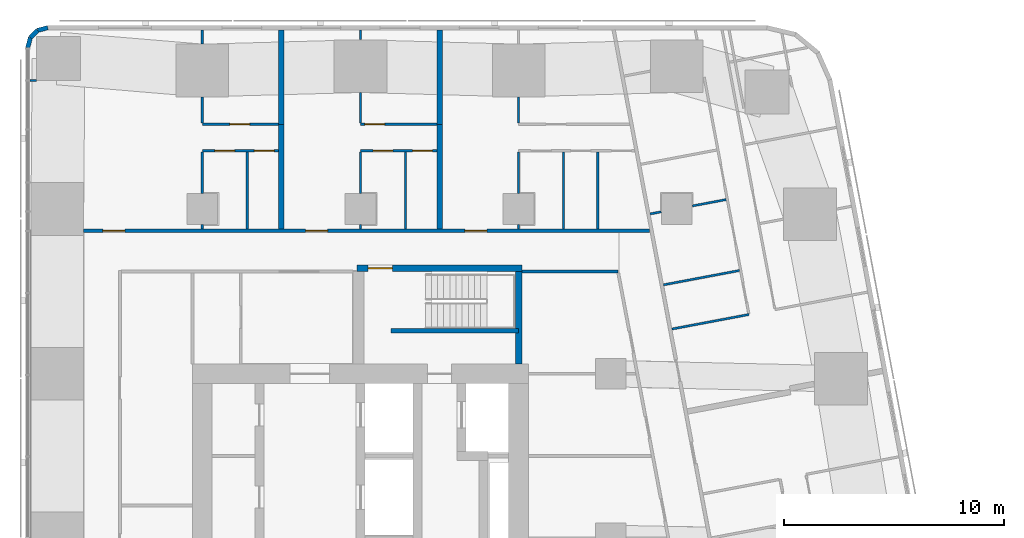
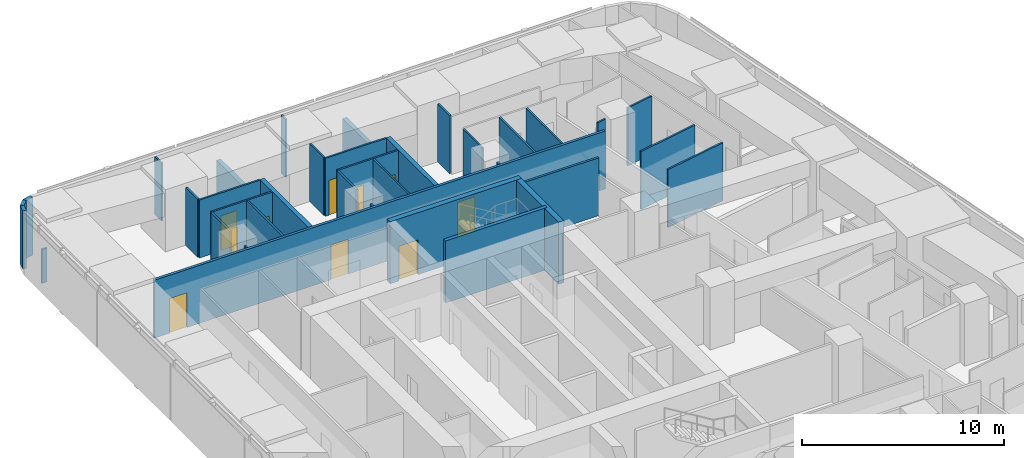
# One storey, part 13 of 17: 36 walls, 10 doors, 10 openings.
"""IFC4 building model written with IfcOpenShell, lengths in metres."""

from ifc_helpers import new_model, si_unit, direction, frame, frame_2d, origin, place, context, subcontext, project, spatial, rectangle, extrude, material, layer, layer_set, type_object, element, fill, save


model = new_model("IFC4")

# Units and contexts
model_context = context("Model", 3, precision=1e-05, world=origin(), true_north=direction((0.0, 1.0)))
body_context = subcontext(model_context, "Body", "Model", "MODEL_VIEW")
ifc_project = project(units=[si_unit("LENGTHUNIT", "METRE"), si_unit("AREAUNIT", "SQUARE_METRE"), si_unit("VOLUMEUNIT", "CUBIC_METRE"), si_unit("PLANEANGLEUNIT", "RADIAN"), si_unit("MASSUNIT", "GRAM", prefix="KILO")], contexts=[model_context])

# Site, building, storey
site_placement = place(None, origin())
site = spatial("IfcSite", under=ifc_project, at=site_placement, CompositionType="ELEMENT")
building_placement = place(site_placement, origin())
building = spatial("IfcBuilding", under=site, at=building_placement, Name="Sheger Commons Tower", CompositionType="ELEMENT")
storey_placement = place(building_placement, frame((0.0, 0.0, 208.699951171875)))
storey = spatial("IfcBuildingStorey", under=building, at=storey_placement, Name="L53", CompositionType="ELEMENT", Elevation=208.699951171875)

# Wall, openings, doors
ifc_material_1 = material(Name="Hollow concrete block masonry, skimmed both sides", Category="masonry")
ifc_layer_1 = layer(ifc_material_1, 0.14990234375)
ifc_layer_set_1 = layer_set([ifc_layer_1], Name="CORRIDOR WALL 150")
wall_type_1 = type_object("IfcWallType", Name="CORRIDOR WALL 150", PredefinedType="SOLIDWALL", material=ifc_layer_set_1)
wall_1_placement = place(storey_placement, frame((9.0009765625, 36.5, 0.0), z_axis=(0.0, 0.0, 1.0), x_axis=(1.0, 0.0, 0.0)))
wall_1 = element("IfcWall", 1, at=wall_1_placement, inside=storey, type_object=wall_type_1, Name="Corridor wall L53", PredefinedType="SOLIDWALL", context=body_context, shape_type="SweptSolid", body=[
    extrude(rectangle(XDim=25.763916015625, YDim=0.14990234375, at=frame_2d((12.8818359375, 0.0))), origin(), (0.0, 0.0, 1.0), 3.5),
])
opening_1_placement = place(wall_1_placement, frame((0.8740234375, 0.0, 0.0)))
opening_1 = element("IfcOpeningElement", 2, at=opening_1_placement, cuts=wall_1, Name="Opening D1", PredefinedType="OPENING", context=body_context, shape_type="SweptSolid", body=[
    extrude(rectangle(XDim=1.0, YDim=2.10009765625, at=frame_2d((0.5, 1.050048828125))), frame((0.0, 0.0849609375, 0.0), z_axis=(0.0, -1.0, 0.0), x_axis=(1.0, 0.0, 0.0)), (0.0, 0.0, 1.0), 0.169921875),
])
opening_2_placement = place(wall_1_placement, frame((10.09912109375, 0.0, 0.0)))
opening_2 = element("IfcOpeningElement", 3, at=opening_2_placement, cuts=wall_1, Name="Opening D1", PredefinedType="OPENING", context=body_context, shape_type="SweptSolid", body=[
    extrude(rectangle(XDim=1.0, YDim=2.10009765625, at=frame_2d((0.5, 1.050048828125))), frame((0.0, 0.0849609375, 0.0), z_axis=(0.0, -1.0, 0.0), x_axis=(1.0, 0.0, 0.0)), (0.0, 0.0, 1.0), 0.169921875),
])
opening_3_placement = place(wall_1_placement, frame((17.35595703125, 0.0, 0.0)))
opening_3 = element("IfcOpeningElement", 4, at=opening_3_placement, cuts=wall_1, Name="Opening D1", PredefinedType="OPENING", context=body_context, shape_type="SweptSolid", body=[
    extrude(rectangle(XDim=1.0, YDim=2.10009765625, at=frame_2d((0.5, 1.050048828125))), frame((0.0, 0.0849609375, 0.0), z_axis=(0.0, -1.0, 0.0), x_axis=(1.0, 0.0, 0.0)), (0.0, 0.0, 1.0), 0.169921875),
])
ifc_material_2 = material(Name="Steel door set, fire rated", Category="steel")
door_type_1 = type_object("IfcDoorType", Name="FLAT ENTRANCE DOOR 1000x2100", OperationType="NOTDEFINED", PredefinedType="DOOR", material=ifc_material_2)
door_1_placement = place(opening_1_placement, origin())
door_1 = element("IfcDoor", 5, at=door_1_placement, inside=storey, type_object=door_type_1, Name="Flat entrance door", OperationType="SINGLE_SWING_LEFT", OverallHeight=2.10009765625, OverallWidth=1.0, PredefinedType="DOOR", context=body_context, shape_type="SweptSolid", body=[
    extrude(rectangle(XDim=1.0, YDim=2.10009765625, at=frame_2d((0.5, 1.050048828125))), frame((0.0, 0.02490234375, 0.0), z_axis=(0.0, -1.0, 0.0), x_axis=(1.0, 0.0, 0.0)), (0.0, 0.0, 1.0), 0.050048828125),
])
fill(opening_1, door_1)
door_2_placement = place(opening_2_placement, origin())
door_2 = element("IfcDoor", 6, at=door_2_placement, inside=storey, type_object=door_type_1, Name="Flat entrance door", OperationType="SINGLE_SWING_LEFT", OverallHeight=2.10009765625, OverallWidth=1.0, PredefinedType="DOOR", context=body_context, shape_type="SweptSolid", body=[
    extrude(rectangle(XDim=1.0, YDim=2.10009765625, at=frame_2d((0.5, 1.050048828125))), frame((0.0, 0.02490234375, 0.0), z_axis=(0.0, -1.0, 0.0), x_axis=(1.0, 0.0, 0.0)), (0.0, 0.0, 1.0), 0.050048828125),
])
fill(opening_2, door_2)
door_3_placement = place(opening_3_placement, origin())
door_3 = element("IfcDoor", 7, at=door_3_placement, inside=storey, type_object=door_type_1, Name="Flat entrance door", OperationType="SINGLE_SWING_LEFT", OverallHeight=2.10009765625, OverallWidth=1.0, PredefinedType="DOOR", context=body_context, shape_type="SweptSolid", body=[
    extrude(rectangle(XDim=1.0, YDim=2.10009765625, at=frame_2d((0.5, 1.050048828125))), frame((0.0, 0.02490234375, 0.0), z_axis=(0.0, -1.0, 0.0), x_axis=(1.0, 0.0, 0.0)), (0.0, 0.0, 1.0), 0.050048828125),
])
fill(opening_3, door_3)

# Walls
ifc_material_3 = material(Name="Dense concrete block masonry, plastered both sides (separating wall between flats)", Category="masonry")
ifc_layer_2 = layer(ifc_material_3, 0.25)
ifc_layer_set_2 = layer_set([ifc_layer_2], Name="DEMISING WALL 250")
wall_type_2 = type_object("IfcWallType", Name="DEMISING WALL 250", PredefinedType="SOLIDWALL", material=ifc_layer_set_2)
wall_2_placement = place(storey_placement, frame((18.0, 41.35009765625, 0.0), z_axis=(0.0, 0.0, 1.0), x_axis=(0.0, 1.0, 0.0)))
element("IfcWall", 8, at=wall_2_placement, inside=storey, type_object=wall_type_2, Name="Demising wall L53", PredefinedType="SOLIDWALL", context=body_context, shape_type="SweptSolid", body=[
    extrude(rectangle(XDim=4.2998046875, YDim=0.25, at=frame_2d((2.14990234375, 0.0))), origin(), (0.0, 0.0, 1.0), 2.050048828125),
])
wall_3_placement = place(storey_placement, frame((18.0, 36.574951171875, 0.0), z_axis=(0.0, 0.0, 1.0), x_axis=(0.0, 1.0, 0.0)))
element("IfcWall", 9, at=wall_3_placement, inside=storey, type_object=wall_type_2, Name="Demising wall L53", PredefinedType="SOLIDWALL", context=body_context, shape_type="SweptSolid", body=[
    extrude(rectangle(XDim=4.775146484375, YDim=0.25, at=frame_2d((2.3876953125, 0.0))), origin(), (0.0, 0.0, 1.0), 3.5),
])
wall_4_placement = place(storey_placement, frame((25.199951171875, 41.35009765625, 0.0), z_axis=(0.0, 0.0, 1.0), x_axis=(0.0, 1.0, 0.0)))
element("IfcWall", 10, at=wall_4_placement, inside=storey, type_object=wall_type_2, Name="Demising wall L53", PredefinedType="SOLIDWALL", context=body_context, shape_type="SweptSolid", body=[
    extrude(rectangle(XDim=4.2998046875, YDim=0.25, at=frame_2d((2.14990234375, 0.0))), origin(), (0.0, 0.0, 1.0), 2.050048828125),
])
wall_5_placement = place(storey_placement, frame((25.199951171875, 36.574951171875, 0.0), z_axis=(0.0, 0.0, 1.0), x_axis=(0.0, 1.0, 0.0)))
element("IfcWall", 11, at=wall_5_placement, inside=storey, type_object=wall_type_2, Name="Demising wall L53", PredefinedType="SOLIDWALL", context=body_context, shape_type="SweptSolid", body=[
    extrude(rectangle(XDim=4.775146484375, YDim=0.25, at=frame_2d((2.3876953125, 0.0))), origin(), (0.0, 0.0, 1.0), 3.5),
])
ifc_material_4 = material(Name="Rendered concrete block masonry, dark grey", Category="masonry")
ifc_layer_3 = layer(ifc_material_4, 0.199951171875)
ifc_layer_set_3 = layer_set([ifc_layer_3], Name="FACADE WALL 200")
wall_type_3 = type_object("IfcWallType", Name="FACADE WALL 200", PredefinedType="SOLIDWALL", material=ifc_layer_set_3)
wall_6_placement = place(storey_placement, frame((7.363037109375, 45.75, 0.0), z_axis=(0.0, 0.0, 1.0), x_axis=(-0.965655254015, -0.259826731483, 0.0)))
element("IfcWall", 12, at=wall_6_placement, inside=storey, type_object=wall_type_3, Name="Facade wall L53", PredefinedType="SOLIDWALL", context=body_context, shape_type="SweptSolid", body=[
    extrude(rectangle(XDim=0.477294921875, YDim=0.199951171875, at=frame_2d((0.23876953125, 0.0))), origin(), (0.0, 0.0, 1.0), 3.5),
])
wall_7_placement = place(storey_placement, frame((6.902099609375, 45.6259765625, 0.0), z_axis=(0.0, 0.0, 1.0), x_axis=(-0.707369890659, -0.706843573776, 0.0)))
element("IfcWall", 13, at=wall_7_placement, inside=storey, type_object=wall_type_3, Name="Facade wall L53", PredefinedType="SOLIDWALL", context=body_context, shape_type="SweptSolid", body=[
    extrude(rectangle(XDim=0.4638671875, YDim=0.199951171875, at=frame_2d((0.23193359375, 0.0))), origin(), (0.0, 0.0, 1.0), 3.5),
])
wall_8_placement = place(storey_placement, frame((6.573974609375, 45.298095703125, 0.0), z_axis=(0.0, 0.0, 1.0), x_axis=(-0.259698463175, -0.965689757751, 0.0)))
element("IfcWall", 14, at=wall_8_placement, inside=storey, type_object=wall_type_3, Name="Facade wall L53", PredefinedType="SOLIDWALL", context=body_context, shape_type="SweptSolid", body=[
    extrude(rectangle(XDim=0.4775390625, YDim=0.199951171875, at=frame_2d((0.23876953125, 0.0))), origin(), (0.0, 0.0, 1.0), 3.5),
])
ifc_material_5 = material(Name="Gypsum board on steel studs", Category="steel")
ifc_layer_4 = layer(ifc_material_5, 0.10009765625)
ifc_layer_set_4 = layer_set([ifc_layer_4], Name="PARTITION 100")
wall_type_4 = type_object("IfcWallType", Name="PARTITION 100", PredefinedType="PARTITIONING", material=ifc_layer_set_4)
wall_9_placement = place(storey_placement, frame((38.25, 37.925048828125, 0.0), z_axis=(0.0, 0.0, 1.0), x_axis=(-0.982610209589, -0.185680305934, 0.0)))
element("IfcWall", 15, at=wall_9_placement, inside=storey, type_object=wall_type_4, Name="Partition L53", PredefinedType="PARTITIONING", context=body_context, shape_type="SweptSolid", body=[
    extrude(rectangle(XDim=1.5673828125, YDim=0.10009765625, at=frame_2d((0.78369140625, 0.0))), origin(), (0.0, 0.0, 1.0), 3.5),
])
wall_10_placement = place(storey_placement, frame((35.2900390625, 37.365966796875, 0.0), z_axis=(0.0, 0.0, 1.0), x_axis=(-0.982715597703, -0.185121727606, 0.0)))
element("IfcWall", 16, at=wall_10_placement, inside=storey, type_object=wall_type_4, Name="Partition L53", PredefinedType="PARTITIONING", context=body_context, shape_type="SweptSolid", body=[
    extrude(rectangle(XDim=0.512939453125, YDim=0.10009765625, at=frame_2d((0.25634765625, 0.0))), origin(), (0.0, 0.0, 1.0), 3.5),
])
wall_11_placement = place(storey_placement, frame((39.2890625, 32.69189453125, 0.0), z_axis=(0.0, 0.0, 1.0), x_axis=(-0.982662827464, -0.185401638399, 0.0)))
element("IfcWall", 17, at=wall_11_placement, inside=storey, type_object=wall_type_4, Name="Partition L53", PredefinedType="PARTITIONING", context=body_context, shape_type="SweptSolid", body=[
    extrude(rectangle(XDim=3.5751953125, YDim=0.10009765625, at=frame_2d((1.78759765625, 0.0))), origin(), (0.0, 0.0, 1.0), 3.5),
])
wall_12_placement = place(storey_placement, frame((38.85888671875, 34.697021484375, 0.0), z_axis=(0.0, 0.0, 1.0), x_axis=(-0.982626628545, -0.185593396635, 0.0)))
element("IfcWall", 18, at=wall_12_placement, inside=storey, type_object=wall_type_4, Name="Partition L53", PredefinedType="PARTITIONING", context=body_context, shape_type="SweptSolid", body=[
    extrude(rectangle(XDim=3.524169921875, YDim=0.10009765625, at=frame_2d((1.76220703125, 0.0))), origin(), (0.0, 0.0, 1.0), 3.5),
])
wall_13_placement = place(storey_placement, frame((6.85400390625, 43.345947265625, 0.0), z_axis=(0.0, 0.0, 1.0), x_axis=(-1.0, 0.0, 0.0)))
element("IfcWall", 19, at=wall_13_placement, inside=storey, type_object=wall_type_4, Name="Partition L53", PredefinedType="PARTITIONING", context=body_context, shape_type="SweptSolid", body=[
    extrude(rectangle(XDim=0.303955078125, YDim=0.10009765625, at=frame_2d((0.15185546875, 0.0))), origin(), (0.0, 0.0, 1.0), 2.050048828125),
])

# Wall, opening, door
wall_14_placement = place(storey_placement, frame((14.39990234375, 41.35009765625, 0.0), z_axis=(0.0, 0.0, 1.0), x_axis=(1.0, 0.0, 0.0)))
wall_14 = element("IfcWall", 20, at=wall_14_placement, inside=storey, type_object=wall_type_4, Name="Partition L53", PredefinedType="PARTITIONING", context=body_context, shape_type="SweptSolid", body=[
    extrude(rectangle(XDim=3.47509765625, YDim=0.10009765625, at=frame_2d((1.737548828125, 0.0))), origin(), (0.0, 0.0, 1.0), 3.5),
])
opening_4_placement = place(wall_14_placement, frame((1.25, 0.0, 0.0)))
opening_4 = element("IfcOpeningElement", 21, at=opening_4_placement, cuts=wall_14, Name="Opening D2", PredefinedType="OPENING", context=body_context, shape_type="SweptSolid", body=[
    extrude(rectangle(XDim=0.89990234375, YDim=2.10009765625, at=frame_2d((0.449951171875, 1.050048828125))), frame((0.0, 0.06005859375, 0.0), z_axis=(0.0, -1.0, 0.0), x_axis=(1.0, 0.0, 0.0)), (0.0, 0.0, 1.0), 0.1201171875),
])
ifc_material_6 = material(Name="Timber door set", Category="wood")
door_type_2 = type_object("IfcDoorType", Name="INTERNAL DOOR 900x2100", OperationType="NOTDEFINED", PredefinedType="DOOR", material=ifc_material_6)
door_4_placement = place(opening_4_placement, origin())
door_4 = element("IfcDoor", 22, at=door_4_placement, inside=storey, type_object=door_type_2, Name="Main bedroom door", OperationType="SINGLE_SWING_LEFT", OverallHeight=2.10009765625, OverallWidth=0.89990234375, PredefinedType="DOOR", context=body_context, shape_type="SweptSolid", body=[
    extrude(rectangle(XDim=0.89990234375, YDim=2.10009765625, at=frame_2d((0.449951171875, 1.050048828125))), frame((0.0, 0.02490234375, 0.0), z_axis=(0.0, -1.0, 0.0), x_axis=(1.0, 0.0, 0.0)), (0.0, 0.0, 1.0), 0.050048828125),
])
fill(opening_4, door_4)

# Wall, openings, doors
wall_15_placement = place(storey_placement, frame((14.39990234375, 40.14990234375, 0.0), z_axis=(0.0, 0.0, 1.0), x_axis=(1.0, 0.0, 0.0)))
wall_15 = element("IfcWall", 23, at=wall_15_placement, inside=storey, type_object=wall_type_4, Name="Partition L53", PredefinedType="PARTITIONING", context=body_context, shape_type="SweptSolid", body=[
    extrude(rectangle(XDim=3.47509765625, YDim=0.10009765625, at=frame_2d((1.737548828125, 0.0))), origin(), (0.0, 0.0, 1.0), 3.5),
])
opening_5_placement = place(wall_15_placement, frame((0.574951171875, 0.0, 0.0)))
opening_5 = element("IfcOpeningElement", 24, at=opening_5_placement, cuts=wall_15, Name="Opening D2", PredefinedType="OPENING", context=body_context, shape_type="SweptSolid", body=[
    extrude(rectangle(XDim=0.89990234375, YDim=2.10009765625, at=frame_2d((0.449951171875, 1.050048828125))), frame((0.0, 0.06005859375, 0.0), z_axis=(0.0, -1.0, 0.0), x_axis=(1.0, 0.0, 0.0)), (0.0, 0.0, 1.0), 0.1201171875),
])
opening_6_placement = place(wall_15_placement, frame((2.375, 0.0, 0.0)))
opening_6 = element("IfcOpeningElement", 25, at=opening_6_placement, cuts=wall_15, Name="Opening D2", PredefinedType="OPENING", context=body_context, shape_type="SweptSolid", body=[
    extrude(rectangle(XDim=0.89990234375, YDim=2.10009765625, at=frame_2d((0.449951171875, 1.050048828125))), frame((0.0, 0.06005859375, 0.0), z_axis=(0.0, -1.0, 0.0), x_axis=(1.0, 0.0, 0.0)), (0.0, 0.0, 1.0), 0.1201171875),
])
door_5_placement = place(opening_5_placement, origin())
door_5 = element("IfcDoor", 26, at=door_5_placement, inside=storey, type_object=door_type_2, Name="Bathroom door", OperationType="SINGLE_SWING_RIGHT", OverallHeight=2.10009765625, OverallWidth=0.89990234375, PredefinedType="DOOR", context=body_context, shape_type="SweptSolid", body=[
    extrude(rectangle(XDim=0.89990234375, YDim=2.10009765625, at=frame_2d((0.449951171875, 1.050048828125))), frame((0.0, 0.02490234375, 0.0), z_axis=(0.0, -1.0, 0.0), x_axis=(1.0, 0.0, 0.0)), (0.0, 0.0, 1.0), 0.050048828125),
])
fill(opening_5, door_5)
door_6_placement = place(opening_6_placement, origin())
door_6 = element("IfcDoor", 27, at=door_6_placement, inside=storey, type_object=door_type_2, Name="Store door", OperationType="SINGLE_SWING_LEFT", OverallHeight=2.10009765625, OverallWidth=0.89990234375, PredefinedType="DOOR", context=body_context, shape_type="SweptSolid", body=[
    extrude(rectangle(XDim=0.89990234375, YDim=2.10009765625, at=frame_2d((0.449951171875, 1.050048828125))), frame((0.0, 0.02490234375, 0.0), z_axis=(0.0, -1.0, 0.0), x_axis=(1.0, 0.0, 0.0)), (0.0, 0.0, 1.0), 0.050048828125),
])
fill(opening_6, door_6)

# Walls
wall_16_placement = place(storey_placement, frame((14.39990234375, 41.39990234375, 0.0), z_axis=(0.0, 0.0, 1.0), x_axis=(0.0, 1.0, 0.0)))
element("IfcWall", 28, at=wall_16_placement, inside=storey, type_object=wall_type_4, Name="Partition L53", PredefinedType="PARTITIONING", context=body_context, shape_type="SweptSolid", body=[
    extrude(rectangle(XDim=1.19921875, YDim=0.10009765625, at=frame_2d((0.599609375, 0.0))), origin(), (0.0, 0.0, 1.0), 3.5),
])
wall_17_placement = place(storey_placement, frame((14.39990234375, 45.0009765625, 0.0), z_axis=(0.0, 0.0, 1.0), x_axis=(0.0, 1.0, 0.0)))
element("IfcWall", 29, at=wall_17_placement, inside=storey, type_object=wall_type_4, Name="Partition L53", PredefinedType="PARTITIONING", context=body_context, shape_type="SweptSolid", body=[
    extrude(rectangle(XDim=0.64892578125, YDim=0.10009765625, at=frame_2d((0.324462890625, 0.0))), origin(), (0.0, 0.0, 1.0), 3.5),
])
wall_18_placement = place(storey_placement, frame((14.39990234375, 36.574951171875, 0.0), z_axis=(0.0, 0.0, 1.0), x_axis=(0.0, 1.0, 0.0)))
element("IfcWall", 30, at=wall_18_placement, inside=storey, type_object=wall_type_4, Name="Partition L53", PredefinedType="PARTITIONING", context=body_context, shape_type="SweptSolid", body=[
    extrude(rectangle(XDim=0.22412109375, YDim=0.10009765625, at=frame_2d((0.112060546875, 0.0))), origin(), (0.0, 0.0, 1.0), 3.5),
])
wall_19_placement = place(storey_placement, frame((14.39990234375, 38.200927734375, 0.0), z_axis=(0.0, 0.0, 1.0), x_axis=(0.0, 1.0, 0.0)))
element("IfcWall", 31, at=wall_19_placement, inside=storey, type_object=wall_type_4, Name="Partition L53", PredefinedType="PARTITIONING", context=body_context, shape_type="SweptSolid", body=[
    extrude(rectangle(XDim=1.899169921875, YDim=0.10009765625, at=frame_2d((0.94970703125, 0.0))), origin(), (0.0, 0.0, 1.0), 3.5),
])
wall_20_placement = place(storey_placement, frame((16.449951171875, 36.574951171875, 0.0), z_axis=(0.0, 0.0, 1.0), x_axis=(0.0, 1.0, 0.0)))
element("IfcWall", 32, at=wall_20_placement, inside=storey, type_object=wall_type_4, Name="Partition L53", PredefinedType="PARTITIONING", context=body_context, shape_type="SweptSolid", body=[
    extrude(rectangle(XDim=3.525146484375, YDim=0.10009765625, at=frame_2d((1.7626953125, 0.0))), origin(), (0.0, 0.0, 1.0), 3.5),
])

# Wall, opening, door
wall_21_placement = place(storey_placement, frame((21.60009765625, 41.35009765625, 0.0), z_axis=(0.0, 0.0, 1.0), x_axis=(1.0, 0.0, 0.0)))
wall_21 = element("IfcWall", 33, at=wall_21_placement, inside=storey, type_object=wall_type_4, Name="Partition L53", PredefinedType="PARTITIONING", context=body_context, shape_type="SweptSolid", body=[
    extrude(rectangle(XDim=3.474853515625, YDim=0.10009765625, at=frame_2d((1.7373046875, 0.0))), origin(), (0.0, 0.0, 1.0), 3.5),
])
opening_7_placement = place(wall_21_placement, frame((0.199951171875, 0.0, 0.0)))
opening_7 = element("IfcOpeningElement", 34, at=opening_7_placement, cuts=wall_21, Name="Opening D2", PredefinedType="OPENING", context=body_context, shape_type="SweptSolid", body=[
    extrude(rectangle(XDim=0.89990234375, YDim=2.10009765625, at=frame_2d((0.449951171875, 1.050048828125))), frame((0.0, 0.06005859375, 0.0), z_axis=(0.0, -1.0, 0.0), x_axis=(1.0, 0.0, 0.0)), (0.0, 0.0, 1.0), 0.1201171875),
])
door_7_placement = place(opening_7_placement, origin())
door_7 = element("IfcDoor", 35, at=door_7_placement, inside=storey, type_object=door_type_2, Name="Main bedroom door", OperationType="SINGLE_SWING_LEFT", OverallHeight=2.10009765625, OverallWidth=0.89990234375, PredefinedType="DOOR", context=body_context, shape_type="SweptSolid", body=[
    extrude(rectangle(XDim=0.89990234375, YDim=2.10009765625, at=frame_2d((0.449951171875, 1.050048828125))), frame((0.0, 0.02490234375, 0.0), z_axis=(0.0, -1.0, 0.0), x_axis=(1.0, 0.0, 0.0)), (0.0, 0.0, 1.0), 0.050048828125),
])
fill(opening_7, door_7)

# Wall, openings, doors
wall_22_placement = place(storey_placement, frame((21.60009765625, 40.14990234375, 0.0), z_axis=(0.0, 0.0, 1.0), x_axis=(1.0, 0.0, 0.0)))
wall_22 = element("IfcWall", 36, at=wall_22_placement, inside=storey, type_object=wall_type_4, Name="Partition L53", PredefinedType="PARTITIONING", context=body_context, shape_type="SweptSolid", body=[
    extrude(rectangle(XDim=3.474853515625, YDim=0.10009765625, at=frame_2d((1.7373046875, 0.0))), origin(), (0.0, 0.0, 1.0), 3.5),
])
opening_8_placement = place(wall_22_placement, frame((0.574951171875, 0.0, 0.0)))
opening_8 = element("IfcOpeningElement", 37, at=opening_8_placement, cuts=wall_22, Name="Opening D2", PredefinedType="OPENING", context=body_context, shape_type="SweptSolid", body=[
    extrude(rectangle(XDim=0.89990234375, YDim=2.10009765625, at=frame_2d((0.449951171875, 1.050048828125))), frame((0.0, 0.06005859375, 0.0), z_axis=(0.0, -1.0, 0.0), x_axis=(1.0, 0.0, 0.0)), (0.0, 0.0, 1.0), 0.1201171875),
])
opening_9_placement = place(wall_22_placement, frame((2.375, 0.0, 0.0)))
opening_9 = element("IfcOpeningElement", 38, at=opening_9_placement, cuts=wall_22, Name="Opening D2", PredefinedType="OPENING", context=body_context, shape_type="SweptSolid", body=[
    extrude(rectangle(XDim=0.89990234375, YDim=2.10009765625, at=frame_2d((0.449951171875, 1.050048828125))), frame((0.0, 0.06005859375, 0.0), z_axis=(0.0, -1.0, 0.0), x_axis=(1.0, 0.0, 0.0)), (0.0, 0.0, 1.0), 0.1201171875),
])
door_8_placement = place(opening_8_placement, origin())
door_8 = element("IfcDoor", 39, at=door_8_placement, inside=storey, type_object=door_type_2, Name="Bathroom door", OperationType="SINGLE_SWING_RIGHT", OverallHeight=2.10009765625, OverallWidth=0.89990234375, PredefinedType="DOOR", context=body_context, shape_type="SweptSolid", body=[
    extrude(rectangle(XDim=0.89990234375, YDim=2.10009765625, at=frame_2d((0.449951171875, 1.050048828125))), frame((0.0, 0.02490234375, 0.0), z_axis=(0.0, -1.0, 0.0), x_axis=(1.0, 0.0, 0.0)), (0.0, 0.0, 1.0), 0.050048828125),
])
fill(opening_8, door_8)
door_9_placement = place(opening_9_placement, origin())
door_9 = element("IfcDoor", 40, at=door_9_placement, inside=storey, type_object=door_type_2, Name="Store door", OperationType="SINGLE_SWING_LEFT", OverallHeight=2.10009765625, OverallWidth=0.89990234375, PredefinedType="DOOR", context=body_context, shape_type="SweptSolid", body=[
    extrude(rectangle(XDim=0.89990234375, YDim=2.10009765625, at=frame_2d((0.449951171875, 1.050048828125))), frame((0.0, 0.02490234375, 0.0), z_axis=(0.0, -1.0, 0.0), x_axis=(1.0, 0.0, 0.0)), (0.0, 0.0, 1.0), 0.050048828125),
])
fill(opening_9, door_9)

# Walls
wall_23_placement = place(storey_placement, frame((21.60009765625, 41.39990234375, 0.0), z_axis=(0.0, 0.0, 1.0), x_axis=(0.0, 1.0, 0.0)))
element("IfcWall", 41, at=wall_23_placement, inside=storey, type_object=wall_type_4, Name="Partition L53", PredefinedType="PARTITIONING", context=body_context, shape_type="SweptSolid", body=[
    extrude(rectangle(XDim=1.399169921875, YDim=0.10009765625, at=frame_2d((0.69970703125, 0.0))), origin(), (0.0, 0.0, 1.0), 3.5),
])
wall_24_placement = place(storey_placement, frame((21.60009765625, 45.200927734375, 0.0), z_axis=(0.0, 0.0, 1.0), x_axis=(0.0, 1.0, 0.0)))
element("IfcWall", 42, at=wall_24_placement, inside=storey, type_object=wall_type_4, Name="Partition L53", PredefinedType="PARTITIONING", context=body_context, shape_type="SweptSolid", body=[
    extrude(rectangle(XDim=0.448974609375, YDim=0.10009765625, at=frame_2d((0.224609375, 0.0))), origin(), (0.0, 0.0, 1.0), 3.5),
])
wall_25_placement = place(storey_placement, frame((21.60009765625, 36.574951171875, 0.0), z_axis=(0.0, 0.0, 1.0), x_axis=(0.0, 1.0, 0.0)))
element("IfcWall", 43, at=wall_25_placement, inside=storey, type_object=wall_type_4, Name="Partition L53", PredefinedType="PARTITIONING", context=body_context, shape_type="SweptSolid", body=[
    extrude(rectangle(XDim=0.22412109375, YDim=0.10009765625, at=frame_2d((0.112060546875, 0.0))), origin(), (0.0, 0.0, 1.0), 3.5),
])
wall_26_placement = place(storey_placement, frame((21.60009765625, 38.200927734375, 0.0), z_axis=(0.0, 0.0, 1.0), x_axis=(0.0, 1.0, 0.0)))
element("IfcWall", 44, at=wall_26_placement, inside=storey, type_object=wall_type_4, Name="Partition L53", PredefinedType="PARTITIONING", context=body_context, shape_type="SweptSolid", body=[
    extrude(rectangle(XDim=1.899169921875, YDim=0.10009765625, at=frame_2d((0.94970703125, 0.0))), origin(), (0.0, 0.0, 1.0), 3.5),
])
wall_27_placement = place(storey_placement, frame((23.64990234375, 36.574951171875, 0.0), z_axis=(0.0, 0.0, 1.0), x_axis=(0.0, 1.0, 0.0)))
element("IfcWall", 45, at=wall_27_placement, inside=storey, type_object=wall_type_4, Name="Partition L53", PredefinedType="PARTITIONING", context=body_context, shape_type="SweptSolid", body=[
    extrude(rectangle(XDim=3.525146484375, YDim=0.10009765625, at=frame_2d((1.7626953125, 0.0))), origin(), (0.0, 0.0, 1.0), 3.5),
])
wall_28_placement = place(storey_placement, frame((28.800048828125, 41.39990234375, 0.0), z_axis=(0.0, 0.0, 1.0), x_axis=(0.0, 1.0, 0.0)))
element("IfcWall", 46, at=wall_28_placement, inside=storey, type_object=wall_type_4, Name="Partition L53", PredefinedType="PARTITIONING", context=body_context, shape_type="SweptSolid", body=[
    extrude(rectangle(XDim=1.19921875, YDim=0.10009765625, at=frame_2d((0.599609375, 0.0))), origin(), (0.0, 0.0, 1.0), 3.5),
])
wall_29_placement = place(storey_placement, frame((28.800048828125, 36.574951171875, 0.0), z_axis=(0.0, 0.0, 1.0), x_axis=(0.0, 1.0, 0.0)))
element("IfcWall", 47, at=wall_29_placement, inside=storey, type_object=wall_type_4, Name="Partition L53", PredefinedType="PARTITIONING", context=body_context, shape_type="SweptSolid", body=[
    extrude(rectangle(XDim=0.22412109375, YDim=0.10009765625, at=frame_2d((0.112060546875, 0.0))), origin(), (0.0, 0.0, 1.0), 3.5),
])
wall_30_placement = place(storey_placement, frame((28.800048828125, 38.200927734375, 0.0), z_axis=(0.0, 0.0, 1.0), x_axis=(0.0, 1.0, 0.0)))
element("IfcWall", 48, at=wall_30_placement, inside=storey, type_object=wall_type_4, Name="Partition L53", PredefinedType="PARTITIONING", context=body_context, shape_type="SweptSolid", body=[
    extrude(rectangle(XDim=1.899169921875, YDim=0.10009765625, at=frame_2d((0.94970703125, 0.0))), origin(), (0.0, 0.0, 1.0), 3.5),
])
for number, where, z_axis, x_axis, name in (
    (49, (32.39990234375, 36.574951171875, 0.0), (0.0, 0.0, 1.0), (0.0, 1.0, 0.0), "Partition L53"),
    (50, (30.85009765625, 36.574951171875, 0.0), (0.0, 0.0, 1.0), (0.0, 1.0, 0.0), "Partition L53"),
):
    element("IfcWall", number, at=place(storey_placement, frame(where, z_axis=z_axis, x_axis=x_axis)), inside=storey, type_object=wall_type_4, Name=name, PredefinedType="PARTITIONING", context=body_context, shape_type="SweptSolid", body=[
        extrude(rectangle(XDim=3.525146484375, YDim=0.10009765625, at=frame_2d((1.7626953125, 0.0))), origin(), (0.0, 0.0, 1.0), 3.5),
    ])
ifc_material_7 = material(Name="Gypsum board on steel studs, two layers each side, fire rated", Category="steel")
ifc_layer_5 = layer(ifc_material_7, 0.125)
ifc_layer_set_5 = layer_set([ifc_layer_5], Name="SERVICE WALL 125")
wall_type_5 = type_object("IfcWallType", Name="SERVICE WALL 125", PredefinedType="PARTITIONING", material=ifc_layer_set_5)
wall_31_placement = place(storey_placement, frame((28.949951171875, 34.64990234375, 0.0), z_axis=(0.0, 0.0, 1.0), x_axis=(1.0, 0.0, 0.0)))
element("IfcWall", 51, at=wall_31_placement, inside=storey, type_object=wall_type_5, Name="Service room wall L53", PredefinedType="PARTITIONING", context=body_context, shape_type="SweptSolid", body=[
    extrude(rectangle(XDim=4.381103515625, YDim=0.125, at=frame_2d((2.1904296875, 0.0))), origin(), (0.0, 0.0, 1.0), 3.5),
])

# Wall, opening, door
ifc_material_8 = material(Name="Concrete C50/60", Category="concrete")
ifc_layer_6 = layer(ifc_material_8, 0.300048828125)
ifc_layer_set_6 = layer_set([ifc_layer_6], Name="STAIR CORE WALL 300")
wall_type_6 = type_object("IfcWallType", Name="STAIR CORE WALL 300", PredefinedType="SHEAR", material=ifc_layer_set_6)
wall_32_placement = place(storey_placement, frame((21.449951171875, 34.800048828125, 0.0), z_axis=(0.0, 0.0, 1.0), x_axis=(1.0, 0.0, 0.0)))
wall_32 = element("IfcWall", 52, at=wall_32_placement, inside=storey, type_object=wall_type_6, Name="STW-L53-S2N", PredefinedType="SHEAR", context=body_context, shape_type="SweptSolid", body=[
    extrude(rectangle(XDim=7.5, YDim=0.300048828125, at=frame_2d((3.75, 0.0))), origin(), (0.0, 0.0, 1.0), 3.75),
])
opening_10_placement = place(wall_32_placement, frame((0.5, 0.0, 0.0)))
opening_10 = element("IfcOpeningElement", 53, at=opening_10_placement, cuts=wall_32, Name="Opening D5", PredefinedType="OPENING", context=body_context, shape_type="SweptSolid", body=[
    extrude(rectangle(XDim=1.10009765625, YDim=2.10009765625, at=frame_2d((0.550048828125, 1.050048828125))), frame((0.0, 0.159912109375, 0.0), z_axis=(0.0, -1.0, 0.0), x_axis=(1.0, 0.0, 0.0)), (0.0, 0.0, 1.0), 0.320068359375),
])
ifc_material_9 = material(Name="Steel door set, fire rated", Category="steel")
door_type_3 = type_object("IfcDoorType", Name="STAIR DOOR 1100x2100", OperationType="NOTDEFINED", PredefinedType="DOOR", material=ifc_material_9)
door_10_placement = place(opening_10_placement, origin())
door_10 = element("IfcDoor", 54, at=door_10_placement, inside=storey, type_object=door_type_3, Name="Stair S2 door", OperationType="SINGLE_SWING_RIGHT", OverallHeight=2.10009765625, OverallWidth=1.10009765625, PredefinedType="DOOR", context=body_context, shape_type="SweptSolid", body=[
    extrude(rectangle(XDim=1.10009765625, YDim=2.10009765625, at=frame_2d((0.550048828125, 1.050048828125))), frame((0.0, 0.02490234375, 0.0), z_axis=(0.0, -1.0, 0.0), x_axis=(1.0, 0.0, 0.0)), (0.0, 0.0, 1.0), 0.050048828125),
])
fill(opening_10, door_10)

# Walls
wall_33_placement = place(storey_placement, frame((28.800048828125, 30.449951171875, 0.0), z_axis=(0.0, 0.0, 1.0), x_axis=(0.0, 1.0, 0.0)))
element("IfcWall", 55, at=wall_33_placement, inside=storey, type_object=wall_type_6, Name="STW-L53-S2E", PredefinedType="SHEAR", context=body_context, shape_type="SweptSolid", body=[
    extrude(rectangle(XDim=4.199951171875, YDim=0.300048828125, at=frame_2d((2.10009765625, 0.0))), origin(), (0.0, 0.0, 1.0), 3.75),
])
ifc_material_10 = material(Name="Concrete C50/60", Category="concrete")
ifc_layer_7 = layer(ifc_material_10, 0.199951171875)
ifc_layer_set_7 = layer_set([ifc_layer_7], Name="STAIR SPINE WALL 200")
wall_type_7 = type_object("IfcWallType", Name="STAIR SPINE WALL 200", PredefinedType="SHEAR", material=ifc_layer_set_7)
wall_34_placement = place(storey_placement, frame((23.0, 31.949951171875, 0.0), z_axis=(0.0, 0.0, 1.0), x_axis=(1.0, 0.0, 0.0)))
element("IfcWall", 56, at=wall_34_placement, inside=storey, type_object=wall_type_7, Name="Stair spine wall L53", PredefinedType="SHEAR", context=body_context, shape_type="SweptSolid", body=[
    extrude(rectangle(XDim=5.800048828125, YDim=0.199951171875, at=frame_2d((2.89990234375, 0.0))), origin(), (0.0, 0.0, 1.0), 3.75),
])

save(model, "model.ifc")
